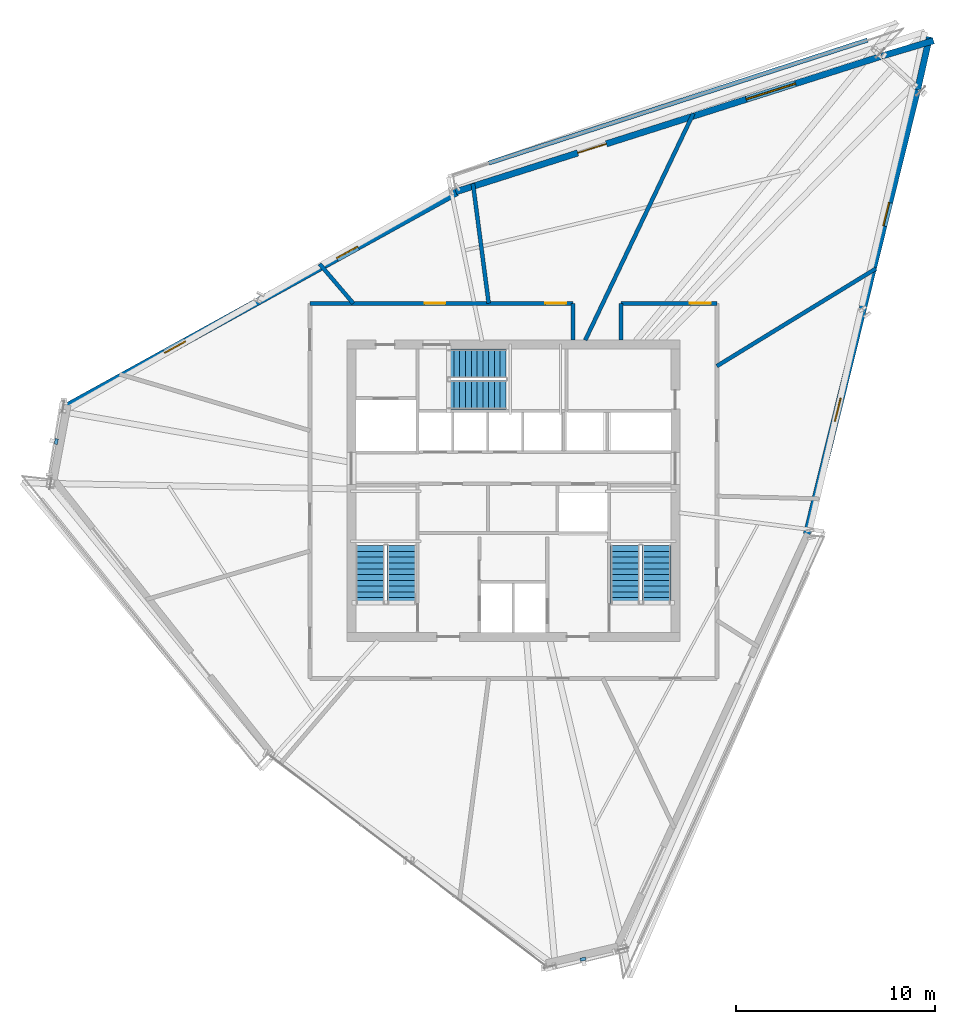
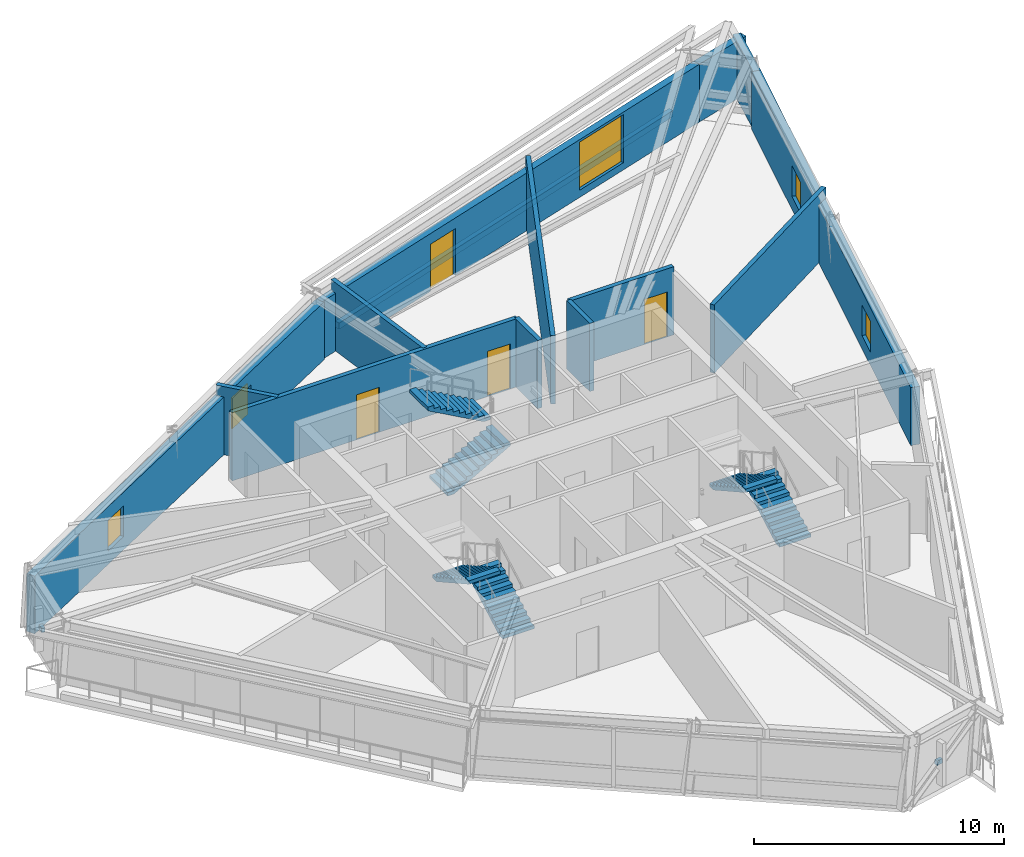
# One storey, part 10 of 13: 14 walls, 6 stair flights, 5 windows, 4 doors, 2 discrete accessories, 9 openings, 3 elements without a shape of their own.
"""IFC4 building model written with IfcOpenShell, lengths in metres."""

from ifc_helpers import new_model, si_unit, direction, frame, frame_2d, origin, origin_2d, place, context, subcontext, project, spatial, polyline, rectangle, outline, extrude, source, transform, mapped, material, layer, layer_set, type_object, type_shapes, element, fill, aggregate, save


model = new_model("IFC4")

# Units and contexts
model_context = context("Model", 3, precision=1e-05, world=origin(), true_north=direction((0.0, 1.0)))
body_context = subcontext(model_context, "Body", "Model", "MODEL_VIEW")
ifc_project = project(units=[si_unit("LENGTHUNIT", "METRE"), si_unit("AREAUNIT", "SQUARE_METRE"), si_unit("VOLUMEUNIT", "CUBIC_METRE"), si_unit("PLANEANGLEUNIT", "RADIAN"), si_unit("MASSUNIT", "GRAM", prefix="KILO")], contexts=[model_context])

# Site, building, storey
site_placement = place(None, origin())
site = spatial("IfcSite", under=ifc_project, at=site_placement, CompositionType="ELEMENT")
building_placement = place(site_placement, origin())
building = spatial("IfcBuilding", under=site, at=building_placement, Name="Olszyna Solenne Hotel", CompositionType="ELEMENT")
storey_placement = place(building_placement, frame((0.0, 0.0, 227.35009765625)))
storey = spatial("IfcBuildingStorey", under=building, at=storey_placement, Name="L60", CompositionType="ELEMENT", Elevation=227.35009765625)

# Wall, openings, door, window
ifc_material_1 = material(Name="Precast concrete C45/55", Category="concrete")
ifc_layer_1 = layer(ifc_material_1, 0.320068359375, Name="Precast concrete C45/55")
ifc_layer_set_1 = layer_set([ifc_layer_1], Name="Precast concrete C45/55")
wall_type_1 = type_object("IfcWallType", Name="WL-EX320", PredefinedType="SOLIDWALL", material=ifc_layer_set_1)
wall_1_placement = place(storey_placement, frame((35.11669921875, 41.591796875, 0.0), z_axis=(0.0, 0.0, 1.0), x_axis=(0.952805881392, 0.303580223968, 0.0)))
wall_1 = element("IfcWall", 1, at=wall_1_placement, inside=storey, type_object=wall_type_1, Name="Exterior terracotta-precast frame wall WL-EX320 EW-L60-07", PredefinedType="SOLIDWALL", context=body_context, shape_type="SweptSolid", body=[
    extrude(rectangle(XDim=22.397216796875, YDim=0.320068359375, at=frame_2d((11.19873046875, 0.0))), origin(), (0.0, 0.0, 1.0), 2.822021484375),
])
opening_1_placement = place(wall_1_placement, frame((6.4169921875, 0.0, 0.0)))
opening_1 = element("IfcOpeningElement", 2, at=opening_1_placement, cuts=wall_1, Name="Opening LDG-L60-1", PredefinedType="OPENING", context=body_context, shape_type="SweptSolid", body=[
    extrude(rectangle(XDim=1.5, YDim=2.300048828125, at=frame_2d((0.75, 1.14990234375))), frame((0.0, 0.169921875, 0.0), z_axis=(0.0, -1.0, 0.0), x_axis=(1.0, 0.0, 0.0)), (0.0, 0.0, 1.0), 0.340087890625),
])
opening_2_placement = place(wall_1_placement, frame((15.27392578125, 0.0, 0.35205078125)))
opening_2 = element("IfcOpeningElement", 3, at=opening_2_placement, cuts=wall_1, Name="Opening WN-L60-392", PredefinedType="OPENING", context=body_context, shape_type="SweptSolid", body=[
    extrude(rectangle(XDim=2.60009765625, YDim=2.35009765625, at=frame_2d((1.300048828125, 1.175048828125))), frame((0.0, 0.169921875, 0.0), z_axis=(0.0, -1.0, 0.0), x_axis=(1.0, 0.0, 0.0)), (0.0, 0.0, 1.0), 0.340087890625),
])
ifc_material_2 = material(Name="Anodised bronze aluminium", Category="aluminium")
door_type_1 = type_object("IfcDoorType", Name="DR-LG2", OperationType="DOUBLE_DOOR_SINGLE_SWING", PredefinedType="DOOR", material=ifc_material_2)
shared_shape_1 = source(origin(), body_context, "Body", "SweptSolid", [
    extrude(rectangle(XDim=1.5, YDim=2.300048828125, at=frame_2d((0.75, 1.14990234375))), frame((0.0, 0.02490234375, 0.0), z_axis=(0.0, -1.0, 0.0), x_axis=(1.0, 0.0, 0.0)), (0.0, 0.0, 1.0), 0.050048828125),
])
type_shapes(door_type_1, [shared_shape_1])
door_1_placement = place(opening_1_placement, origin())
door_1 = element("IfcDoor", 4, at=door_1_placement, inside=storey, type_object=door_type_1, Name="Exterior loggia balcony door DR-LG2 LDG-L60-1", OperationType="DOUBLE_DOOR_SINGLE_SWING", OverallHeight=2.300048828125, OverallWidth=1.5, PredefinedType="DOOR", context=body_context, shape_type="MappedRepresentation", body=[
    mapped(shared_shape_1, transform((0.0, 0.0, 0.0), x_axis=(1.0, 0.0, 0.0), y_axis=(0.0, 1.0, 0.0), z_axis=(0.0, 0.0, 1.0), scale=1.0)),
])
fill(opening_1, door_1)
ifc_material_3 = material(Name="Low-E triple glazing", Category="glass")
window_type_1 = type_object("IfcWindowType", Name="WN-ST1", PartitioningType="SINGLE_PANEL", PredefinedType="WINDOW", material=ifc_material_3)
shared_shape_2 = source(origin(), body_context, "Body", "SweptSolid", [
    extrude(rectangle(XDim=2.60009765625, YDim=2.35009765625, at=frame_2d((1.300048828125, 1.175048828125))), frame((0.0, 0.030029296875, 0.0), z_axis=(0.0, -1.0, 0.0), x_axis=(1.0, 0.0, 0.0)), (0.0, 0.0, 1.0), 0.06005859375),
])
type_shapes(window_type_1, [shared_shape_2])
window_1_placement = place(opening_2_placement, origin())
window_1 = element("IfcWindow", 5, at=window_1_placement, inside=storey, type_object=window_type_1, Name="Loggia room window WN-ST1 WN-L60-392", OverallHeight=2.35009765625, OverallWidth=2.60009765625, PartitioningType="SINGLE_PANEL", PredefinedType="WINDOW", context=body_context, shape_type="MappedRepresentation", body=[
    mapped(shared_shape_2, transform((0.0, 0.0, 0.0), x_axis=(1.0, 0.0, 0.0), y_axis=(0.0, 1.0, 0.0), z_axis=(0.0, 0.0, 1.0), scale=1.0)),
])
fill(opening_2, window_1)

# Walls
for number, where, z_axis, x_axis, name in (
    (6, (56.453857421875, 48.39013671875, 0.0), (0.0, 0.0, 1.0), (0.958413853679, 0.285381998514, 0.0), "Exterior terracotta-precast frame wall WL-EX320 EW-L60-08"),
    (7, (58.86279296875, 49.355712890625, 0.0), (0.0, 0.0, 1.0), (-0.21941621818, -0.97563134595, 0.0), "Exterior terracotta-precast frame wall WL-EX320 EW-L60-09"),
):
    element("IfcWall", number, at=place(storey_placement, frame(where, z_axis=z_axis, x_axis=x_axis)), inside=storey, type_object=wall_type_1, Name=name, PredefinedType="SOLIDWALL", context=body_context, shape_type="SweptSolid", body=[
        extrude(rectangle(XDim=2.723876953125, YDim=0.320068359375, at=frame_2d((1.36181640625, 0.0))), origin(), (0.0, 0.0, 1.0), 2.822021484375),
    ])

# Wall, openings, windows
ifc_material_4 = material(Name="Terracotta cladding on precast concrete C45/55", Category="masonry")
ifc_layer_2 = layer(ifc_material_4, 0.3798828125, Name="Terracotta cladding on precast concrete C45/55")
ifc_layer_set_2 = layer_set([ifc_layer_2], Name="Terracotta cladding on precast concrete C45/55")
wall_type_2 = type_object("IfcWallType", Name="WL-EX380", PredefinedType="SOLIDWALL", material=ifc_layer_set_2)
wall_2_placement = place(storey_placement, frame((15.539306640625, 30.776123046875, 0.0), z_axis=(0.0, 0.0, 1.0), x_axis=(0.876021364286, 0.482272297892, 0.0)))
wall_2 = element("IfcWall", 8, at=wall_2_placement, inside=storey, type_object=wall_type_2, Name="Exterior terracotta-precast frame wall WL-EX380 EW-L60-06", PredefinedType="SOLIDWALL", context=body_context, shape_type="SweptSolid", body=[
    extrude(rectangle(XDim=22.397216796875, YDim=0.3798828125, at=frame_2d((11.19873046875, 0.0))), origin(), (0.0, 0.0, 1.0), 2.822021484375),
])
opening_3_placement = place(wall_2_placement, frame((5.6708984375, 0.0, 0.64990234375)))
opening_3 = element("IfcOpeningElement", 9, at=opening_3_placement, cuts=wall_2, Name="Opening WN-L60-390", PredefinedType="OPENING", context=body_context, shape_type="SweptSolid", body=[
    extrude(rectangle(XDim=1.199951171875, YDim=1.5, at=frame_2d((0.60009765625, 0.75))), frame((0.0, 0.199951171875, 0.0), z_axis=(0.0, -1.0, 0.0), x_axis=(1.0, 0.0, 0.0)), (0.0, 0.0, 1.0), 0.39990234375),
])
opening_4_placement = place(wall_2_placement, frame((15.52587890625, 0.0, 0.64990234375)))
opening_4 = element("IfcOpeningElement", 10, at=opening_4_placement, cuts=wall_2, Name="Opening WN-L60-391", PredefinedType="OPENING", context=body_context, shape_type="SweptSolid", body=[
    extrude(rectangle(XDim=1.199951171875, YDim=1.5, at=frame_2d((0.60009765625, 0.75))), frame((0.0, 0.199951171875, 0.0), z_axis=(0.0, -1.0, 0.0), x_axis=(1.0, 0.0, 0.0)), (0.0, 0.0, 1.0), 0.39990234375),
])
window_type_2 = type_object("IfcWindowType", Name="WN-B1", PartitioningType="SINGLE_PANEL", PredefinedType="WINDOW", material=ifc_material_3)
shared_shape_3 = source(origin(), body_context, "Body", "SweptSolid", [
    extrude(rectangle(XDim=1.199951171875, YDim=1.5, at=frame_2d((0.60009765625, 0.75))), frame((0.0, 0.030029296875, 0.0), z_axis=(0.0, -1.0, 0.0), x_axis=(1.0, 0.0, 0.0)), (0.0, 0.0, 1.0), 0.06005859375),
])
type_shapes(window_type_2, [shared_shape_3])
window_2_placement = place(opening_3_placement, origin())
window_2 = element("IfcWindow", 11, at=window_2_placement, inside=storey, type_object=window_type_2, Name="Exterior facade window WN-B1 WN-L60-390", OverallHeight=1.5, OverallWidth=1.199951171875, PartitioningType="SINGLE_PANEL", PredefinedType="WINDOW", context=body_context, shape_type="MappedRepresentation", body=[
    mapped(shared_shape_3, transform((0.0, 0.0, 0.0), x_axis=(1.0, 0.0, 0.0), y_axis=(0.0, 1.0, 0.0), z_axis=(0.0, 0.0, 1.0), scale=1.0)),
])
fill(opening_3, window_2)
window_3_placement = place(opening_4_placement, origin())
window_3 = element("IfcWindow", 12, at=window_3_placement, inside=storey, type_object=window_type_2, Name="Exterior facade window WN-B1 WN-L60-391", OverallHeight=1.5, OverallWidth=1.199951171875, PartitioningType="SINGLE_PANEL", PredefinedType="WINDOW", context=body_context, shape_type="MappedRepresentation", body=[
    mapped(shared_shape_3, transform((0.0, 0.0, 0.0), x_axis=(1.0, 0.0, 0.0), y_axis=(0.0, 1.0, 0.0), z_axis=(0.0, 0.0, 1.0), scale=1.0)),
])
fill(opening_4, window_3)

wall_3_placement = place(storey_placement, frame((58.23681640625, 46.708984375, 0.0), z_axis=(0.0, 0.0, 1.0), x_axis=(-0.240317528697, -0.9706943316, 0.0)))
wall_3 = element("IfcWall", 13, at=wall_3_placement, inside=storey, type_object=wall_type_2, Name="Exterior terracotta-precast frame wall WL-EX380 EW-L60-10", PredefinedType="SOLIDWALL", context=body_context, shape_type="SweptSolid", body=[
    extrude(rectangle(XDim=22.952392578125, YDim=0.3798828125, at=frame_2d((11.47607421875, 0.0))), origin(), (0.0, 0.0, 1.0), 2.822021484375),
])
opening_5_placement = place(wall_3_placement, frame((5.826904296875, 0.0, 0.64990234375)))
opening_5 = element("IfcOpeningElement", 14, at=opening_5_placement, cuts=wall_3, Name="Opening WN-L60-393", PredefinedType="OPENING", context=body_context, shape_type="SweptSolid", body=[
    extrude(rectangle(XDim=1.199951171875, YDim=1.5, at=frame_2d((0.60009765625, 0.75))), frame((0.0, 0.199951171875, 0.0), z_axis=(0.0, -1.0, 0.0), x_axis=(1.0, 0.0, 0.0)), (0.0, 0.0, 1.0), 0.39990234375),
])
opening_6_placement = place(wall_3_placement, frame((15.926025390625, 0.0, 0.64990234375)))
opening_6 = element("IfcOpeningElement", 15, at=opening_6_placement, cuts=wall_3, Name="Opening WN-L60-394", PredefinedType="OPENING", context=body_context, shape_type="SweptSolid", body=[
    extrude(rectangle(XDim=1.199951171875, YDim=1.5, at=frame_2d((0.60009765625, 0.75))), frame((0.0, 0.199951171875, 0.0), z_axis=(0.0, -1.0, 0.0), x_axis=(1.0, 0.0, 0.0)), (0.0, 0.0, 1.0), 0.39990234375),
])
window_4_placement = place(opening_5_placement, origin())
window_4 = element("IfcWindow", 16, at=window_4_placement, inside=storey, type_object=window_type_2, Name="Exterior facade window WN-B1 WN-L60-393", OverallHeight=1.5, OverallWidth=1.199951171875, PartitioningType="SINGLE_PANEL", PredefinedType="WINDOW", context=body_context, shape_type="MappedRepresentation", body=[
    mapped(shared_shape_3, transform((0.0, 0.0, 0.0), x_axis=(1.0, 0.0, 0.0), y_axis=(0.0, 1.0, 0.0), z_axis=(0.0, 0.0, 1.0), scale=1.0)),
])
fill(opening_5, window_4)
window_5_placement = place(opening_6_placement, origin())
window_5 = element("IfcWindow", 17, at=window_5_placement, inside=storey, type_object=window_type_2, Name="Exterior facade window WN-B1 WN-L60-394", OverallHeight=1.5, OverallWidth=1.199951171875, PartitioningType="SINGLE_PANEL", PredefinedType="WINDOW", context=body_context, shape_type="MappedRepresentation", body=[
    mapped(shared_shape_3, transform((0.0, 0.0, 0.0), x_axis=(1.0, 0.0, 0.0), y_axis=(0.0, 1.0, 0.0), z_axis=(0.0, 0.0, 1.0), scale=1.0)),
])
fill(opening_6, window_5)

# Walls
ifc_layer_3 = layer(ifc_material_1, 0.219970703125, Name="Precast concrete C45/55")
ifc_layer_set_3 = layer_set([ifc_layer_3], Name="Precast concrete C45/55")
wall_type_3 = type_object("IfcWallType", Name="WL-PR220", PredefinedType="PARAPET", material=ifc_layer_set_3)
wall_4_placement = place(storey_placement, frame((55.749267578125, 49.197998046875, 0.0), z_axis=(0.0, 0.0, 1.0), x_axis=(-0.951088076276, -0.308919845859, 0.0)))
element("IfcWall", 18, at=wall_4_placement, inside=storey, type_object=wall_type_3, Name="Loggia balcony precast kerb PR-L60-LG1", PredefinedType="PARAPET", context=body_context, shape_type="SweptSolid", body=[
    extrude(rectangle(XDim=19.9599609375, YDim=0.219970703125, at=frame_2d((9.97998046875, 0.0))), origin(), (0.0, 0.0, 1.0), 0.2998046875),
])
ifc_material_5 = material(Name="Acoustic gypsum partition", Category="gypsum")
ifc_layer_4 = layer(ifc_material_5, 0.199951171875, Name="Acoustic gypsum partition")
ifc_layer_set_4 = layer_set([ifc_layer_4], Name="Acoustic gypsum partition")
wall_type_4 = type_object("IfcWallType", Name="WL-PT200", PredefinedType="PARTITIONING", material=ifc_layer_set_4)
wall_5_placement = place(storey_placement, frame((48.199951171875, 32.8505859375, 0.0), z_axis=(0.0, 0.0, 1.0), x_axis=(0.852636485322, 0.522504568303, 0.0)))
element("IfcWall", 19, at=wall_5_placement, inside=storey, type_object=wall_type_4, Name="Interior acoustic partition WL-PT200 PW-L60-3322", PredefinedType="PARTITIONING", context=body_context, shape_type="SweptSolid", body=[
    extrude(rectangle(XDim=9.36083984375, YDim=0.199951171875, at=frame_2d((4.680419921875, 0.0))), origin(), (0.0, 0.0, 1.0), 3.329833984375),
])
wall_6_placement = place(storey_placement, frame((41.601318359375, 34.14990234375, 0.0), z_axis=(0.0, 0.0, 1.0), x_axis=(0.430503610469, 0.902588855112, 0.0)))
element("IfcWall", 20, at=wall_6_placement, inside=storey, type_object=wall_type_4, Name="Interior acoustic partition WL-PT200 PW-L60-3323", PredefinedType="PARTITIONING", context=body_context, shape_type="SweptSolid", body=[
    extrude(rectangle(XDim=12.599853515625, YDim=0.199951171875, at=frame_2d((6.2998046875, 0.0))), origin(), (0.0, 0.0, 1.0), 3.329833984375),
])
wall_7_placement = place(storey_placement, frame((36.762451171875, 36.0, 0.0), z_axis=(0.0, 0.0, 1.0), x_axis=(-0.130530683029, 0.991444270137, 0.0)))
element("IfcWall", 21, at=wall_7_placement, inside=storey, type_object=wall_type_4, Name="Interior acoustic partition WL-PT200 PW-L60-3324", PredefinedType="PARTITIONING", context=body_context, shape_type="SweptSolid", body=[
    extrude(rectangle(XDim=6.052490234375, YDim=0.199951171875, at=frame_2d((3.0263671875, 0.0))), origin(), (0.0, 0.0, 1.0), 3.329833984375),
])
wall_8_placement = place(storey_placement, frame((29.9716796875, 36.0, 0.0), z_axis=(0.0, 0.0, 1.0), x_axis=(-0.649428113656, 0.760422990968, 0.0)))
element("IfcWall", 22, at=wall_8_placement, inside=storey, type_object=wall_type_4, Name="Interior acoustic partition WL-PT200 PW-L60-3325", PredefinedType="PARTITIONING", context=body_context, shape_type="SweptSolid", body=[
    extrude(rectangle(XDim=2.59765625, YDim=0.199951171875, at=frame_2d((1.298828125, 0.0))), origin(), (0.0, 0.0, 1.0), 3.329833984375),
])

# Wall, openings, doors
wall_9_placement = place(storey_placement, frame((27.800048828125, 36.0, 0.0), z_axis=(0.0, 0.0, 1.0), x_axis=(1.0, 0.0, 0.0)))
wall_9 = element("IfcWall", 23, at=wall_9_placement, inside=storey, type_object=wall_type_4, Name="Interior acoustic partition WL-PT200 PW-L60-3334", PredefinedType="PARTITIONING", context=body_context, shape_type="SweptSolid", body=[
    extrude(rectangle(XDim=13.199951171875, YDim=0.199951171875, at=frame_2d((6.60009765625, 0.0))), origin(), (0.0, 0.0, 1.0), 3.329833984375),
])
opening_7_placement = place(wall_9_placement, frame((11.798095703125, 0.0, 0.0)))
opening_7 = element("IfcOpeningElement", 24, at=opening_7_placement, cuts=wall_9, Name="Opening DR-L60-0814", PredefinedType="OPENING", context=body_context, shape_type="SweptSolid", body=[
    extrude(rectangle(XDim=1.050048828125, YDim=2.199951171875, at=frame_2d((0.52490234375, 1.10009765625))), frame((0.0, 0.10986328125, 0.0), z_axis=(0.0, -1.0, 0.0), x_axis=(1.0, 0.0, 0.0)), (0.0, 0.0, 1.0), 0.219970703125),
])
opening_8_placement = place(wall_9_placement, frame((5.743896484375, 0.0, 0.0)))
opening_8 = element("IfcOpeningElement", 25, at=opening_8_placement, cuts=wall_9, Name="Opening DR-L60-0815", PredefinedType="OPENING", context=body_context, shape_type="SweptSolid", body=[
    extrude(rectangle(XDim=1.050048828125, YDim=2.199951171875, at=frame_2d((0.52490234375, 1.10009765625))), frame((0.0, 0.10986328125, 0.0), z_axis=(0.0, -1.0, 0.0), x_axis=(1.0, 0.0, 0.0)), (0.0, 0.0, 1.0), 0.219970703125),
])
ifc_material_6 = material(Name="Timber hardwood", Category="wood")
door_type_2 = type_object("IfcDoorType", Name="DR-RM2", OperationType="NOTDEFINED", PredefinedType="DOOR", material=ifc_material_6)
shared_shape_4 = source(origin(), body_context, "Body", "SweptSolid", [
    extrude(rectangle(XDim=1.050048828125, YDim=2.199951171875, at=frame_2d((0.52490234375, 1.10009765625))), frame((0.0, 0.02490234375, 0.0), z_axis=(0.0, -1.0, 0.0), x_axis=(1.0, 0.0, 0.0)), (0.0, 0.0, 1.0), 0.050048828125),
])
type_shapes(door_type_2, [shared_shape_4])
door_2_placement = place(opening_7_placement, origin())
door_2 = element("IfcDoor", 26, at=door_2_placement, inside=storey, type_object=door_type_2, Name="Private Business Office Entrance Door DR-L60-0814", OperationType="SINGLE_SWING_LEFT", OverallHeight=2.199951171875, OverallWidth=1.050048828125, PredefinedType="DOOR", context=body_context, shape_type="MappedRepresentation", body=[
    mapped(shared_shape_4, transform((0.0, 0.0, 0.0), x_axis=(1.0, 0.0, 0.0), y_axis=(0.0, 1.0, 0.0), z_axis=(0.0, 0.0, 1.0), scale=1.0)),
])
fill(opening_7, door_2)
door_3_placement = place(opening_8_placement, origin())
door_3 = element("IfcDoor", 27, at=door_3_placement, inside=storey, type_object=door_type_2, Name="Private Business Office Entrance Door DR-L60-0815", OperationType="SINGLE_SWING_RIGHT", OverallHeight=2.199951171875, OverallWidth=1.050048828125, PredefinedType="DOOR", context=body_context, shape_type="MappedRepresentation", body=[
    mapped(shared_shape_4, transform((0.0, 0.0, 0.0), x_axis=(1.0, 0.0, 0.0), y_axis=(0.0, 1.0, 0.0), z_axis=(0.0, 0.0, 1.0), scale=1.0)),
])
fill(opening_8, door_3)

# Wall
wall_10_placement = place(storey_placement, frame((41.0, 34.14990234375, 0.0), z_axis=(0.0, 0.0, 1.0), x_axis=(0.0, 1.0, 0.0)))
element("IfcWall", 28, at=wall_10_placement, inside=storey, type_object=wall_type_4, Name="Interior acoustic partition WL-PT200 PW-L60-3335", PredefinedType="PARTITIONING", context=body_context, shape_type="SweptSolid", body=[
    extrude(rectangle(XDim=1.85009765625, YDim=0.199951171875, at=frame_2d((0.925048828125, 0.0))), origin(), (0.0, 0.0, 1.0), 3.329833984375),
])

# Wall, opening, door
wall_11_placement = place(storey_placement, frame((43.39990234375, 36.0, 0.0), z_axis=(0.0, 0.0, 1.0), x_axis=(1.0, 0.0, 0.0)))
wall_11 = element("IfcWall", 29, at=wall_11_placement, inside=storey, type_object=wall_type_4, Name="Interior acoustic partition WL-PT200 PW-L60-3336", PredefinedType="PARTITIONING", context=body_context, shape_type="SweptSolid", body=[
    extrude(rectangle(XDim=4.800048828125, YDim=0.199951171875, at=frame_2d((2.39990234375, 0.0))), origin(), (0.0, 0.0, 1.0), 3.329833984375),
])
opening_9_placement = place(wall_11_placement, frame((3.449951171875, 0.0, 0.0)))
opening_9 = element("IfcOpeningElement", 30, at=opening_9_placement, cuts=wall_11, Name="Opening DR-L60-0816", PredefinedType="OPENING", context=body_context, shape_type="SweptSolid", body=[
    extrude(rectangle(XDim=1.050048828125, YDim=2.199951171875, at=frame_2d((0.52490234375, 1.10009765625))), frame((0.0, 0.10986328125, 0.0), z_axis=(0.0, -1.0, 0.0), x_axis=(1.0, 0.0, 0.0)), (0.0, 0.0, 1.0), 0.219970703125),
])
door_4_placement = place(opening_9_placement, origin())
door_4 = element("IfcDoor", 31, at=door_4_placement, inside=storey, type_object=door_type_2, Name="Private Business Office Entrance Door DR-L60-0816", OperationType="SINGLE_SWING_RIGHT", OverallHeight=2.199951171875, OverallWidth=1.050048828125, PredefinedType="DOOR", context=body_context, shape_type="MappedRepresentation", body=[
    mapped(shared_shape_4, transform((0.0, 0.0, 0.0), x_axis=(1.0, 0.0, 0.0), y_axis=(0.0, 1.0, 0.0), z_axis=(0.0, 0.0, 1.0), scale=1.0)),
])
fill(opening_9, door_4)

# Wall
wall_12_placement = place(storey_placement, frame((43.39990234375, 34.14990234375, 0.0), z_axis=(0.0, 0.0, 1.0), x_axis=(0.0, 1.0, 0.0)))
element("IfcWall", 32, at=wall_12_placement, inside=storey, type_object=wall_type_4, Name="Interior acoustic partition WL-PT200 PW-L60-3337", PredefinedType="PARTITIONING", context=body_context, shape_type="SweptSolid", body=[
    extrude(rectangle(XDim=1.85009765625, YDim=0.199951171875, at=frame_2d((0.925048828125, 0.0))), origin(), (0.0, 0.0, 1.0), 3.329833984375),
])

# Stair, stair flights
ifc_material_7 = material(Name="Concrete C40/50", Category="concrete")
stair_type = type_object("IfcStairType", Name="STR-C1", PredefinedType="TWO_QUARTER_WINDING_STAIR", material=ifc_material_7)
stair_1_placement = place(storey_placement, origin())
stair_1 = element("IfcStair", 33, at=stair_1_placement, inside=storey, type_object=stair_type, Name="L60 ST1", PredefinedType="TWO_QUARTER_WINDING_STAIR")
stair_flight_type = type_object("IfcStairFlightType", Name="FLT-C1", PredefinedType="STRAIGHT", material=ifc_material_7)
stair_flight_1_placement = place(storey_placement, frame((32.39501953125, 20.949951171875, 0.0), z_axis=(0.0, 0.0, 1.0), x_axis=(0.0, 1.0, 0.0)))
stair_flight_1 = element("IfcStairFlight", 34, at=stair_flight_1_placement, type_object=stair_flight_type, Name="ST1 flight 1", NumberOfRisers=11, NumberOfTreads=10, PredefinedType="STRAIGHT", RiserHeight=0.161363636, TreadLength=0.29, context=body_context, shape_type="SweptSolid", body=[
    extrude(outline(polyline([(0.0, 0.0), (0.0, 0.161376953125), (0.2900390625, 0.161376953125), (0.2900390625, 0.32275390625), (0.580078125, 0.32275390625), (0.580078125, 0.484130859375), (0.8701171875, 0.484130859375), (0.8701171875, 0.6455078125), (1.159912109375, 0.6455078125), (1.159912109375, 0.806884765625), (1.449951171875, 0.806884765625), (1.449951171875, 0.96826171875), (1.739990234375, 0.96826171875), (1.739990234375, 1.129638671875), (2.030029296875, 1.129638671875), (2.030029296875, 1.291015625), (2.320068359375, 1.291015625), (2.320068359375, 1.452392578125), (2.610107421875, 1.452392578125), (2.610107421875, 1.613525390625), (2.89990234375, 1.613525390625), (2.89990234375, 1.77490234375), (2.89990234375, 1.442138671875), (0.308349609375, 0.0), (0.0, 0.0)])), frame((0.0, 0.72509765625, 0.0), z_axis=(0.0, -1.0, 0.0), x_axis=(1.0, 0.0, 0.0)), (0.0, 0.0, 1.0), 1.449951171875),
])
stair_flight_2_placement = place(storey_placement, frame((30.824951171875, 23.85009765625, 1.77490234375), z_axis=(0.0, 0.0, 1.0), x_axis=(0.0, -1.0, 0.0)))
stair_flight_2 = element("IfcStairFlight", 35, at=stair_flight_2_placement, type_object=stair_flight_type, Name="ST1 flight 2", NumberOfRisers=11, NumberOfTreads=10, PredefinedType="STRAIGHT", RiserHeight=0.161363636, TreadLength=0.29, context=body_context, shape_type="SweptSolid", body=[
    extrude(outline(polyline([(0.0, 0.0), (0.0, 0.161376953125), (0.2900390625, 0.161376953125), (0.2900390625, 0.32275390625), (0.580078125, 0.32275390625), (0.580078125, 0.484130859375), (0.8701171875, 0.484130859375), (0.8701171875, 0.6455078125), (1.159912109375, 0.6455078125), (1.159912109375, 0.806884765625), (1.449951171875, 0.806884765625), (1.449951171875, 0.96826171875), (1.739990234375, 0.96826171875), (1.739990234375, 1.129638671875), (2.030029296875, 1.129638671875), (2.030029296875, 1.291015625), (2.320068359375, 1.291015625), (2.320068359375, 1.452392578125), (2.610107421875, 1.452392578125), (2.610107421875, 1.613525390625), (2.89990234375, 1.613525390625), (2.89990234375, 1.77490234375), (2.89990234375, 1.442138671875), (0.308349609375, 0.0), (0.0, 0.0)])), frame((0.0, 0.72509765625, 0.0), z_axis=(0.0, -1.0, 0.0), x_axis=(1.0, 0.0, 0.0)), (0.0, 0.0, 1.0), 1.449951171875),
])
aggregate(stair_1, [stair_flight_1, stair_flight_2])

stair_2_placement = place(storey_placement, origin())
stair_2 = element("IfcStair", 36, at=stair_2_placement, inside=storey, type_object=stair_type, Name="L60 ST2", PredefinedType="TWO_QUARTER_WINDING_STAIR")
stair_flight_3_placement = place(storey_placement, frame((45.175048828125, 20.949951171875, 0.0), z_axis=(0.0, 0.0, 1.0), x_axis=(0.0, 1.0, 0.0)))
stair_flight_3 = element("IfcStairFlight", 37, at=stair_flight_3_placement, type_object=stair_flight_type, Name="ST2 flight 1", NumberOfRisers=11, NumberOfTreads=10, PredefinedType="STRAIGHT", RiserHeight=0.161363636, TreadLength=0.29, context=body_context, shape_type="SweptSolid", body=[
    extrude(outline(polyline([(0.0, 0.0), (0.0, 0.161376953125), (0.2900390625, 0.161376953125), (0.2900390625, 0.32275390625), (0.580078125, 0.32275390625), (0.580078125, 0.484130859375), (0.8701171875, 0.484130859375), (0.8701171875, 0.6455078125), (1.159912109375, 0.6455078125), (1.159912109375, 0.806884765625), (1.449951171875, 0.806884765625), (1.449951171875, 0.96826171875), (1.739990234375, 0.96826171875), (1.739990234375, 1.129638671875), (2.030029296875, 1.129638671875), (2.030029296875, 1.291015625), (2.320068359375, 1.291015625), (2.320068359375, 1.452392578125), (2.610107421875, 1.452392578125), (2.610107421875, 1.613525390625), (2.89990234375, 1.613525390625), (2.89990234375, 1.77490234375), (2.89990234375, 1.442138671875), (0.308349609375, 0.0), (0.0, 0.0)])), frame((0.0, 0.72509765625, 0.0), z_axis=(0.0, -1.0, 0.0), x_axis=(1.0, 0.0, 0.0)), (0.0, 0.0, 1.0), 1.449951171875),
])
stair_flight_4_placement = place(storey_placement, frame((43.60498046875, 23.85009765625, 1.77490234375), z_axis=(0.0, 0.0, 1.0), x_axis=(0.0, -1.0, 0.0)))
stair_flight_4 = element("IfcStairFlight", 38, at=stair_flight_4_placement, type_object=stair_flight_type, Name="ST2 flight 2", NumberOfRisers=11, NumberOfTreads=10, PredefinedType="STRAIGHT", RiserHeight=0.161363636, TreadLength=0.29, context=body_context, shape_type="SweptSolid", body=[
    extrude(outline(polyline([(0.0, 0.0), (0.0, 0.161376953125), (0.2900390625, 0.161376953125), (0.2900390625, 0.32275390625), (0.580078125, 0.32275390625), (0.580078125, 0.484130859375), (0.8701171875, 0.484130859375), (0.8701171875, 0.6455078125), (1.159912109375, 0.6455078125), (1.159912109375, 0.806884765625), (1.449951171875, 0.806884765625), (1.449951171875, 0.96826171875), (1.739990234375, 0.96826171875), (1.739990234375, 1.129638671875), (2.030029296875, 1.129638671875), (2.030029296875, 1.291015625), (2.320068359375, 1.291015625), (2.320068359375, 1.452392578125), (2.610107421875, 1.452392578125), (2.610107421875, 1.613525390625), (2.89990234375, 1.613525390625), (2.89990234375, 1.77490234375), (2.89990234375, 1.442138671875), (0.308349609375, 0.0), (0.0, 0.0)])), frame((0.0, 0.72509765625, 0.0), z_axis=(0.0, -1.0, 0.0), x_axis=(1.0, 0.0, 0.0)), (0.0, 0.0, 1.0), 1.449951171875),
])
aggregate(stair_2, [stair_flight_3, stair_flight_4])

stair_3_placement = place(storey_placement, origin())
stair_3 = element("IfcStair", 39, at=stair_3_placement, inside=storey, type_object=stair_type, Name="L60 ST3", PredefinedType="TWO_QUARTER_WINDING_STAIR")
stair_flight_5_placement = place(storey_placement, frame((34.72998046875, 31.405029296875, 0.0), z_axis=(0.0, 0.0, 1.0), x_axis=(1.0, 0.0, 0.0)))
stair_flight_5 = element("IfcStairFlight", 40, at=stair_flight_5_placement, type_object=stair_flight_type, Name="ST3 flight 1", NumberOfRisers=11, NumberOfTreads=10, PredefinedType="STRAIGHT", RiserHeight=0.161363636, TreadLength=0.29, context=body_context, shape_type="SweptSolid", body=[
    extrude(outline(polyline([(0.0, 0.0), (0.0, 0.161376953125), (0.2900390625, 0.161376953125), (0.2900390625, 0.32275390625), (0.580078125, 0.32275390625), (0.580078125, 0.484130859375), (0.8701171875, 0.484130859375), (0.8701171875, 0.6455078125), (1.159912109375, 0.6455078125), (1.159912109375, 0.806884765625), (1.449951171875, 0.806884765625), (1.449951171875, 0.96826171875), (1.739990234375, 0.96826171875), (1.739990234375, 1.129638671875), (2.030029296875, 1.129638671875), (2.030029296875, 1.291015625), (2.320068359375, 1.291015625), (2.320068359375, 1.452392578125), (2.610107421875, 1.452392578125), (2.610107421875, 1.613525390625), (2.89990234375, 1.613525390625), (2.89990234375, 1.77490234375), (2.89990234375, 1.442138671875), (0.308349609375, 0.0), (0.0, 0.0)])), frame((0.0, 0.72509765625, 0.0), z_axis=(0.0, -1.0, 0.0), x_axis=(1.0, 0.0, 0.0)), (0.0, 0.0, 1.0), 1.449951171875),
])
stair_flight_6_placement = place(storey_placement, frame((37.6298828125, 32.97509765625, 1.77490234375), z_axis=(0.0, 0.0, 1.0), x_axis=(-1.0, 0.0, 0.0)))
stair_flight_6 = element("IfcStairFlight", 41, at=stair_flight_6_placement, type_object=stair_flight_type, Name="ST3 flight 2", NumberOfRisers=11, NumberOfTreads=10, PredefinedType="STRAIGHT", RiserHeight=0.161363636, TreadLength=0.29, context=body_context, shape_type="SweptSolid", body=[
    extrude(outline(polyline([(0.0, 0.0), (0.0, 0.161376953125), (0.2900390625, 0.161376953125), (0.2900390625, 0.32275390625), (0.580078125, 0.32275390625), (0.580078125, 0.484130859375), (0.8701171875, 0.484130859375), (0.8701171875, 0.6455078125), (1.159912109375, 0.6455078125), (1.159912109375, 0.806884765625), (1.449951171875, 0.806884765625), (1.449951171875, 0.96826171875), (1.739990234375, 0.96826171875), (1.739990234375, 1.129638671875), (2.030029296875, 1.129638671875), (2.030029296875, 1.291015625), (2.320068359375, 1.291015625), (2.320068359375, 1.452392578125), (2.610107421875, 1.452392578125), (2.610107421875, 1.613525390625), (2.89990234375, 1.613525390625), (2.89990234375, 1.77490234375), (2.89990234375, 1.442138671875), (0.308349609375, 0.0), (0.0, 0.0)])), frame((0.0, 0.72509765625, 0.0), z_axis=(0.0, -1.0, 0.0), x_axis=(1.0, 0.0, 0.0)), (0.0, 0.0, 1.0), 1.449951171875),
])
aggregate(stair_3, [stair_flight_5, stair_flight_6])

# Discrete accessories
ifc_material_8 = material(Name="Steel S355J2", Category="steel")
discrete_accessory_type = type_object("IfcDiscreteAccessoryType", Name="BRK-01", PredefinedType="BRACKET", material=ifc_material_8)
shared_shape_5 = source(origin(), body_context, "Body", "SweptSolid", [
    extrude(rectangle(XDim=0.280029296875, YDim=0.159912109375, at=origin_2d()), origin(), (0.0, 0.0, 1.0), 0.219970703125),
])
for number, where, z_axis, x_axis, name in (
    (42, (41.491943359375, 3.11572265625, 1.30078125), (0.0, 0.0, 1.0), (-0.973975967279, -0.226651307437, 0.0), "Facade support bracket BRK-FN-L60-02"),
    (43, (15.08203125, 29.069091796875, 1.30078125), (0.0, 0.0, 1.0), (0.183951350613, 0.98293534915, 0.0), "Facade support bracket BRK-FN-L60-05"),
):
    element("IfcDiscreteAccessory", number, at=place(storey_placement, frame(where, z_axis=z_axis, x_axis=x_axis)), inside=storey, type_object=discrete_accessory_type, Name=name, PredefinedType="BRACKET", context=body_context, shape_type="MappedRepresentation", body=[
        mapped(shared_shape_5, transform((0.0, 0.0, 0.0), x_axis=(1.0, 0.0, 0.0), y_axis=(0.0, 1.0, 0.0), z_axis=(0.0, 0.0, 1.0), scale=1.0)),
    ])

save(model, "model.ifc")
